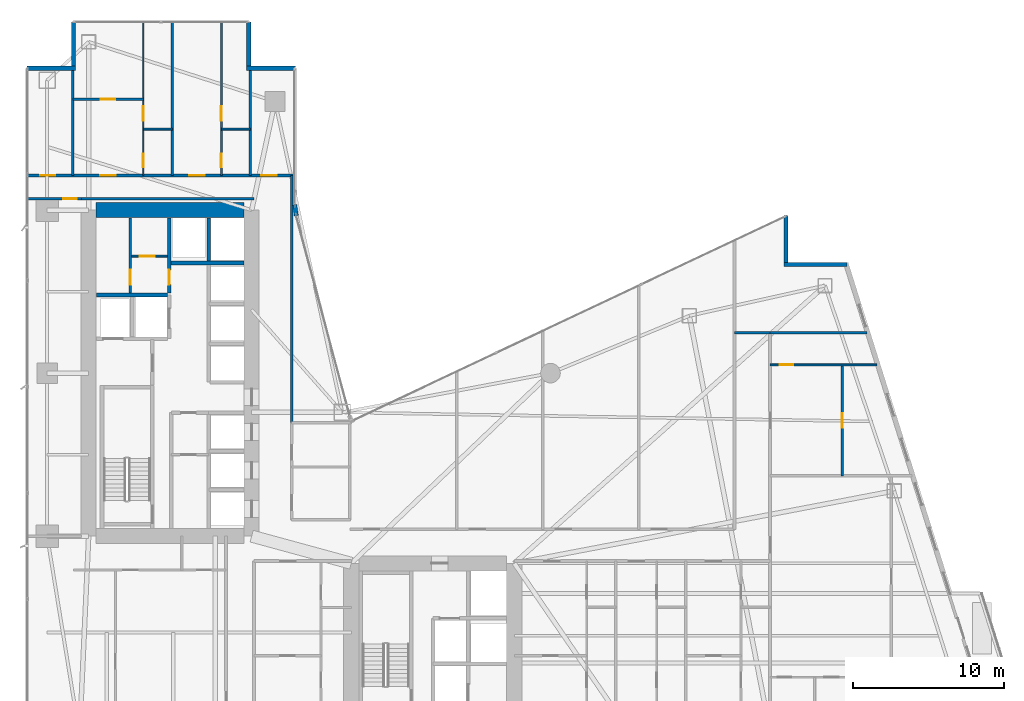
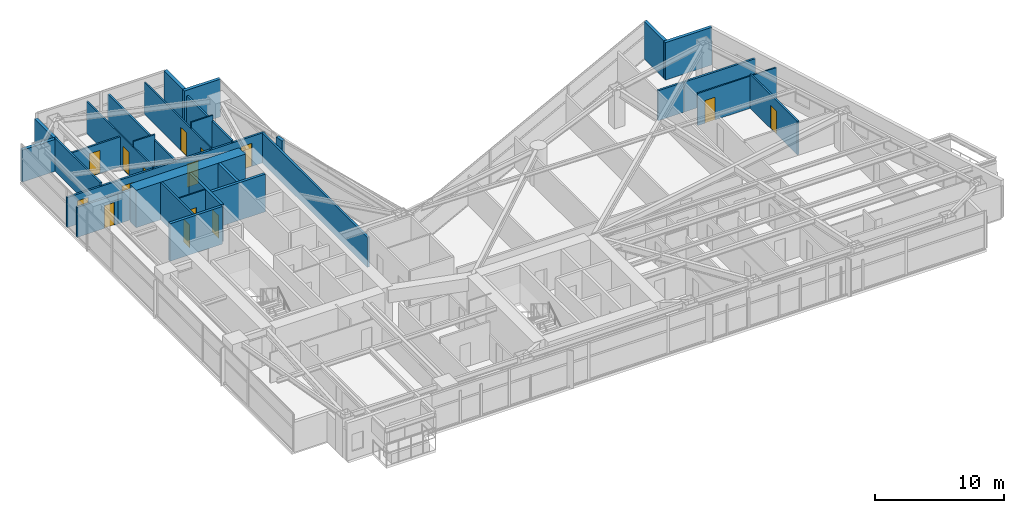
# One storey, part 25 of 30: 30 walls, 15 doors, 15 openings.
"""IFC4 building model written with IfcOpenShell, lengths in metres."""

from ifc_helpers import new_model, si_unit, direction, frame, frame_2d, origin, place, context, subcontext, project, spatial, rectangle, extrude, material, layer, layer_set, type_object, element, fill, save


model = new_model("IFC4")

# Units and contexts
model_context = context("Model", 3, precision=1e-05, world=origin(), true_north=direction((0.0, 1.0)))
body_context = subcontext(model_context, "Body", "Model", "MODEL_VIEW")
ifc_project = project(units=[si_unit("LENGTHUNIT", "METRE"), si_unit("AREAUNIT", "SQUARE_METRE"), si_unit("VOLUMEUNIT", "CUBIC_METRE"), si_unit("PLANEANGLEUNIT", "RADIAN"), si_unit("MASSUNIT", "GRAM", prefix="KILO")], contexts=[model_context])

# Site, building, storey
site_placement = place(None, origin())
site = spatial("IfcSite", under=ifc_project, at=site_placement, CompositionType="ELEMENT")
building_placement = place(site_placement, origin())
building = spatial("IfcBuilding", under=site, at=building_placement, Name="Calvorn Quay Hotel", CompositionType="ELEMENT")
storey_placement = place(building_placement, frame((0.0, 0.0, 50.800048828125)))
storey = spatial("IfcBuildingStorey", under=building, at=storey_placement, Name="L11", CompositionType="ELEMENT", Elevation=50.800048828125)

# Wall
ifc_material_1 = material(Name="Concrete C60", Category="concrete")
ifc_layer_1 = layer(ifc_material_1, 1.0)
ifc_layer_set_1 = layer_set([ifc_layer_1], Name="WL-CORE-1000")
wall_type_1 = type_object("IfcWallType", Name="WL-CORE-1000", PredefinedType="SHEAR", material=ifc_layer_set_1)
wall_1_placement = place(storey_placement, frame((4.699951171875, 38.39990234375, 0.0), z_axis=(0.0, 0.0, 1.0), x_axis=(1.0, 0.0, 0.0)))
element("IfcWall", 1, at=wall_1_placement, inside=storey, type_object=wall_type_1, Name="West Core Shear Wall N (L11)", PredefinedType="SHEAR", context=body_context, shape_type="SweptSolid", body=[
    extrude(rectangle(XDim=9.800048828125, YDim=1.0, at=frame_2d((4.89990234375, 0.0))), origin(), (0.0, 0.0, 1.0), 3.56005859375),
])

# Wall, opening, door
ifc_material_2 = material(Name="Acoustic Fireboard Steel-Stud Partition", Category="steel")
ifc_layer_2 = layer(ifc_material_2, 0.179931640625)
ifc_layer_set_2 = layer_set([ifc_layer_2], Name="WL-CORR-FIRE-180")
wall_type_2 = type_object("IfcWallType", Name="WL-CORR-FIRE-180", PredefinedType="PARTITIONING", material=ifc_layer_set_2)
wall_2_placement = place(storey_placement, frame((0.080078125, 39.14990234375, 0.0), z_axis=(0.0, 0.0, 1.0), x_axis=(1.0, 0.0, 0.0)))
wall_2 = element("IfcWall", 2, at=wall_2_placement, inside=storey, type_object=wall_type_2, Name="Partition Wall L11-WL-WBAY-N-DOOR", PredefinedType="PARTITIONING", context=body_context, shape_type="SweptSolid", body=[
    extrude(rectangle(XDim=3.64990234375, YDim=0.179931640625, at=frame_2d((1.824951171875, 0.0))), origin(), (0.0, 0.0, 1.0), 2.83984375),
])
opening_1_placement = place(wall_2_placement, frame((2.429931640625, 0.0, 0.0)))
opening_1 = element("IfcOpeningElement", 3, at=opening_1_placement, cuts=wall_2, Name="Opening D-L11-WBN", PredefinedType="OPENING", context=body_context, shape_type="SweptSolid", body=[
    extrude(rectangle(XDim=0.89990234375, YDim=2.14990234375, at=frame_2d((0.449951171875, 1.074951171875))), frame((0.0, 0.099853515625, 0.0), z_axis=(0.0, -1.0, 0.0), x_axis=(1.0, 0.0, 0.0)), (0.0, 0.0, 1.0), 0.199951171875),
])
ifc_material_3 = material(Name="Moisture-Sealed Timber En-Suite Door", Category="wood")
door_type_1 = type_object("IfcDoorType", Name="DR-ENSUITE-900", OperationType="NOTDEFINED", PredefinedType="DOOR", material=ifc_material_3)
door_1_placement = place(opening_1_placement, origin())
door_1 = element("IfcDoor", 4, at=door_1_placement, inside=storey, type_object=door_type_1, Name="West North Bay Door (L11)", OperationType="SINGLE_SWING_LEFT", OverallHeight=2.14990234375, OverallWidth=0.89990234375, PredefinedType="DOOR", context=body_context, shape_type="SweptSolid", body=[
    extrude(rectangle(XDim=0.89990234375, YDim=2.14990234375, at=frame_2d((0.449951171875, 1.074951171875))), frame((0.0, 0.02490234375, 0.0), z_axis=(0.0, -1.0, 0.0), x_axis=(1.0, 0.0, 0.0)), (0.0, 0.0, 1.0), 0.050048828125),
])
fill(opening_1, door_1)

# Wall, openings, doors
wall_3_placement = place(storey_placement, frame((0.080078125, 40.699951171875, 0.0), z_axis=(0.0, 0.0, 1.0), x_axis=(1.0, 0.0, 0.0)))
wall_3 = element("IfcWall", 5, at=wall_3_placement, inside=storey, type_object=wall_type_2, Name="Partition Wall L11-WL-CORR-NW-N", PredefinedType="PARTITIONING", context=body_context, shape_type="SweptSolid", body=[
    extrude(rectangle(XDim=17.77001953125, YDim=0.179931640625, at=frame_2d((8.885009765625, 0.0))), origin(), (0.0, 0.0, 1.0), 2.83984375),
])
opening_2_placement = place(wall_3_placement, frame((0.89990234375, 0.0, 0.0)))
opening_2 = element("IfcOpeningElement", 6, at=opening_2_placement, cuts=wall_3, Name="Opening D-L11-NWW", PredefinedType="OPENING", context=body_context, shape_type="SweptSolid", body=[
    extrude(rectangle(XDim=1.02001953125, YDim=2.199951171875, at=frame_2d((0.510009765625, 1.10009765625))), frame((0.0, 0.099853515625, 0.0), z_axis=(0.0, -1.0, 0.0), x_axis=(1.0, 0.0, 0.0)), (0.0, 0.0, 1.0), 0.199951171875),
])
opening_3_placement = place(wall_3_placement, frame((4.89990234375, 0.0, 0.0)))
opening_3 = element("IfcOpeningElement", 7, at=opening_3_placement, cuts=wall_3, Name="Opening D-L11-U03", PredefinedType="OPENING", context=body_context, shape_type="SweptSolid", body=[
    extrude(rectangle(XDim=1.02001953125, YDim=2.199951171875, at=frame_2d((0.510009765625, 1.10009765625))), frame((0.0, 0.099853515625, 0.0), z_axis=(0.0, -1.0, 0.0), x_axis=(1.0, 0.0, 0.0)), (0.0, 0.0, 1.0), 0.199951171875),
])
opening_4_placement = place(wall_3_placement, frame((10.780029296875, 0.0, 0.0)))
opening_4 = element("IfcOpeningElement", 8, at=opening_4_placement, cuts=wall_3, Name="Opening D-L11-U04", PredefinedType="OPENING", context=body_context, shape_type="SweptSolid", body=[
    extrude(rectangle(XDim=1.02001953125, YDim=2.199951171875, at=frame_2d((0.510009765625, 1.10009765625))), frame((0.0, 0.099853515625, 0.0), z_axis=(0.0, -1.0, 0.0), x_axis=(1.0, 0.0, 0.0)), (0.0, 0.0, 1.0), 0.199951171875),
])
opening_5_placement = place(wall_3_placement, frame((15.550048828125, 0.0, 0.0)))
opening_5 = element("IfcOpeningElement", 9, at=opening_5_placement, cuts=wall_3, Name="Opening D-L11-NWE", PredefinedType="OPENING", context=body_context, shape_type="SweptSolid", body=[
    extrude(rectangle(XDim=1.02001953125, YDim=2.199951171875, at=frame_2d((0.510009765625, 1.10009765625))), frame((0.0, 0.099853515625, 0.0), z_axis=(0.0, -1.0, 0.0), x_axis=(1.0, 0.0, 0.0)), (0.0, 0.0, 1.0), 0.199951171875),
])
ifc_material_4 = material(Name="Solid-Core Walnut Veneer Hotel Fire Door")
door_type_2 = type_object("IfcDoorType", Name="DR-GUEST-ENTRY-1020", OperationType="NOTDEFINED", PredefinedType="DOOR", material=ifc_material_4)
door_2_placement = place(opening_2_placement, origin())
door_2 = element("IfcDoor", 10, at=door_2_placement, inside=storey, type_object=door_type_2, Name="West Corner Study Door (L11)", OperationType="SINGLE_SWING_LEFT", OverallHeight=2.199951171875, OverallWidth=1.02001953125, PredefinedType="DOOR", context=body_context, shape_type="SweptSolid", body=[
    extrude(rectangle(XDim=1.02001953125, YDim=2.199951171875, at=frame_2d((0.510009765625, 1.10009765625))), frame((0.0, 0.02490234375, 0.0), z_axis=(0.0, -1.0, 0.0), x_axis=(1.0, 0.0, 0.0)), (0.0, 0.0, 1.0), 0.050048828125),
])
fill(opening_2, door_2)
door_3_placement = place(opening_3_placement, origin())
door_3 = element("IfcDoor", 11, at=door_3_placement, inside=storey, type_object=door_type_2, Name="North-West Unit Door U03 (L11)", OperationType="SINGLE_SWING_RIGHT", OverallHeight=2.199951171875, OverallWidth=1.02001953125, PredefinedType="DOOR", context=body_context, shape_type="SweptSolid", body=[
    extrude(rectangle(XDim=1.02001953125, YDim=2.199951171875, at=frame_2d((0.510009765625, 1.10009765625))), frame((0.0, 0.02490234375, 0.0), z_axis=(0.0, -1.0, 0.0), x_axis=(1.0, 0.0, 0.0)), (0.0, 0.0, 1.0), 0.050048828125),
])
fill(opening_3, door_3)
door_4_placement = place(opening_4_placement, origin())
door_4 = element("IfcDoor", 12, at=door_4_placement, inside=storey, type_object=door_type_2, Name="North-West Unit Door U04 (L11)", OperationType="SINGLE_SWING_LEFT", OverallHeight=2.199951171875, OverallWidth=1.02001953125, PredefinedType="DOOR", context=body_context, shape_type="SweptSolid", body=[
    extrude(rectangle(XDim=1.02001953125, YDim=2.199951171875, at=frame_2d((0.510009765625, 1.10009765625))), frame((0.0, 0.02490234375, 0.0), z_axis=(0.0, -1.0, 0.0), x_axis=(1.0, 0.0, 0.0)), (0.0, 0.0, 1.0), 0.050048828125),
])
fill(opening_4, door_4)
door_5_placement = place(opening_5_placement, origin())
door_5 = element("IfcDoor", 13, at=door_5_placement, inside=storey, type_object=door_type_2, Name="Inner Court Study Door (L11)", OperationType="SINGLE_SWING_RIGHT", OverallHeight=2.199951171875, OverallWidth=1.02001953125, PredefinedType="DOOR", context=body_context, shape_type="SweptSolid", body=[
    extrude(rectangle(XDim=1.02001953125, YDim=2.199951171875, at=frame_2d((0.510009765625, 1.10009765625))), frame((0.0, 0.02490234375, 0.0), z_axis=(0.0, -1.0, 0.0), x_axis=(1.0, 0.0, 0.0)), (0.0, 0.0, 1.0), 0.050048828125),
])
fill(opening_5, door_5)

# Walls
wall_4_placement = place(storey_placement, frame((17.64990234375, 24.300048828125, 0.0), z_axis=(0.0, 0.0, 1.0), x_axis=(0.0, 1.0, 0.0)))
element("IfcWall", 14, at=wall_4_placement, inside=storey, type_object=wall_type_2, Name="Partition Wall L11-WL-NW-CLOSURE-E", PredefinedType="PARTITIONING", context=body_context, shape_type="SweptSolid", body=[
    extrude(rectangle(XDim=16.39990234375, YDim=0.179931640625, at=frame_2d((8.199951171875, 0.0))), origin(), (0.0, 0.0, 1.0), 2.83984375),
])
wall_5_placement = place(storey_placement, frame((3.679931640625, 39.14990234375, 0.0), z_axis=(0.0, 0.0, 1.0), x_axis=(1.0, 0.0, 0.0)))
element("IfcWall", 15, at=wall_5_placement, inside=storey, type_object=wall_type_2, Name="Partition Wall L11-WL-W-SPUR-S", PredefinedType="PARTITIONING", context=body_context, shape_type="SweptSolid", body=[
    extrude(rectangle(XDim=11.469970703125, YDim=0.179931640625, at=frame_2d((5.73486328125, 0.0))), origin(), (0.0, 0.0, 1.0), 2.83984375),
])
wall_6_placement = place(storey_placement, frame((49.35009765625, 30.280029296875, 0.0), z_axis=(0.0, 0.0, 1.0), x_axis=(1.0, 0.0, 0.0)))
element("IfcWall", 16, at=wall_6_placement, inside=storey, type_object=wall_type_2, Name="Partition Wall L11-WL-TIP-N", PredefinedType="PARTITIONING", context=body_context, shape_type="SweptSolid", body=[
    extrude(rectangle(XDim=6.409912109375, YDim=0.179931640625, at=frame_2d((3.205078125, 0.0))), origin(), (0.0, 0.0, 1.0), 2.83984375),
])
wall_7_placement = place(storey_placement, frame((47.0, 30.280029296875, 0.0), z_axis=(0.0, 0.0, 1.0), x_axis=(1.0, 0.0, 0.0)))
element("IfcWall", 17, at=wall_7_placement, inside=storey, type_object=wall_type_2, Name="Partition Wall L11-WL-CORR-TIP-NN", PredefinedType="PARTITIONING", context=body_context, shape_type="SweptSolid", body=[
    extrude(rectangle(XDim=2.35009765625, YDim=0.179931640625, at=frame_2d((1.175048828125, 0.0))), origin(), (0.0, 0.0, 1.0), 2.83984375),
])

# Wall, opening, door
ifc_material_5 = material(Name="Moisture-Resistant Tile-Backed Partition")
ifc_layer_3 = layer(ifc_material_5, 0.125)
ifc_layer_set_3 = layer_set([ifc_layer_3], Name="WL-ENSUITE-125")
wall_type_3 = type_object("IfcWallType", Name="WL-ENSUITE-125", PredefinedType="PARTITIONING", material=ifc_layer_set_3)
wall_8_placement = place(storey_placement, frame((7.050048828125, 35.35009765625, 0.0), z_axis=(0.0, 0.0, 1.0), x_axis=(1.0, 0.0, 0.0)))
wall_8 = element("IfcWall", 18, at=wall_8_placement, inside=storey, type_object=wall_type_3, Name="Partition Wall L11-WL-CWW-K-H", PredefinedType="PARTITIONING", context=body_context, shape_type="SweptSolid", body=[
    extrude(rectangle(XDim=2.369873046875, YDim=0.125, at=frame_2d((1.18505859375, 0.0))), origin(), (0.0, 0.0, 1.0), 3.56005859375),
])
opening_6_placement = place(wall_8_placement, frame((0.550048828125, 0.0, 0.0)))
opening_6 = element("IfcOpeningElement", 19, at=opening_6_placement, cuts=wall_8, Name="Opening D-L11-CK3", PredefinedType="OPENING", context=body_context, shape_type="SweptSolid", body=[
    extrude(rectangle(XDim=0.97998046875, YDim=2.14990234375, at=frame_2d((0.489990234375, 1.074951171875))), frame((0.0, 0.072509765625, 0.0), z_axis=(0.0, -1.0, 0.0), x_axis=(1.0, 0.0, 0.0)), (0.0, 0.0, 1.0), 0.14501953125),
])
ifc_material_6 = material(Name="Painted Steel Housekeeping/Riser Fire Door", Category="steel")
door_type_3 = type_object("IfcDoorType", Name="DR-SERVICE-980", OperationType="NOTDEFINED", PredefinedType="DOOR", material=ifc_material_6)
door_6_placement = place(opening_6_placement, origin())
door_6 = element("IfcDoor", 20, at=door_6_placement, inside=storey, type_object=door_type_3, Name="Telecom Closet Door (L11)", OperationType="SINGLE_SWING_RIGHT", OverallHeight=2.14990234375, OverallWidth=0.97998046875, PredefinedType="DOOR", context=body_context, shape_type="SweptSolid", body=[
    extrude(rectangle(XDim=0.97998046875, YDim=2.14990234375, at=frame_2d((0.489990234375, 1.074951171875))), frame((0.0, 0.02490234375, 0.0), z_axis=(0.0, -1.0, 0.0), x_axis=(1.0, 0.0, 0.0)), (0.0, 0.0, 1.0), 0.050048828125),
])
fill(opening_6, door_6)

# Wall
wall_9_placement = place(storey_placement, frame((7.820068359375, 43.77001953125, 0.0), z_axis=(0.0, 0.0, 1.0), x_axis=(1.0, 0.0, 0.0)))
element("IfcWall", 21, at=wall_9_placement, inside=storey, type_object=wall_type_3, Name="Partition Wall L11-WL-U03-BDV", PredefinedType="PARTITIONING", context=body_context, shape_type="SweptSolid", body=[
    extrude(rectangle(XDim=1.929931640625, YDim=0.125, at=frame_2d((0.96484375, 0.0))), origin(), (0.0, 0.0, 1.0), 3.56005859375),
])

# Wall, openings, doors
wall_10_placement = place(storey_placement, frame((7.820068359375, 40.699951171875, 0.0), z_axis=(0.0, 0.0, 1.0), x_axis=(0.0, 1.0, 0.0)))
wall_10 = element("IfcWall", 22, at=wall_10_placement, inside=storey, type_object=wall_type_3, Name="Partition Wall L11-WL-U03-BV", PredefinedType="PARTITIONING", context=body_context, shape_type="SweptSolid", body=[
    extrude(rectangle(XDim=10.239990234375, YDim=0.125, at=frame_2d((5.1201171875, 0.0))), origin(), (0.0, 0.0, 1.0), 3.0400390625),
])
opening_7_placement = place(wall_10_placement, frame((0.550048828125, 0.0, 0.0)))
opening_7 = element("IfcOpeningElement", 23, at=opening_7_placement, cuts=wall_10, Name="Opening D-L11-E03", PredefinedType="OPENING", context=body_context, shape_type="SweptSolid", body=[
    extrude(rectangle(XDim=0.89990234375, YDim=2.14990234375, at=frame_2d((0.449951171875, 1.074951171875))), frame((0.0, 0.072509765625, 0.0), z_axis=(0.0, -1.0, 0.0), x_axis=(1.0, 0.0, 0.0)), (0.0, 0.0, 1.0), 0.14501953125),
])
opening_8_placement = place(wall_10_placement, frame((3.6201171875, 0.0, 0.0)))
opening_8 = element("IfcOpeningElement", 24, at=opening_8_placement, cuts=wall_10, Name="Opening D-L11-S03", PredefinedType="OPENING", context=body_context, shape_type="SweptSolid", body=[
    extrude(rectangle(XDim=0.9599609375, YDim=2.199951171875, at=frame_2d((0.47998046875, 1.10009765625))), frame((0.0, 0.072509765625, 0.0), z_axis=(0.0, -1.0, 0.0), x_axis=(1.0, 0.0, 0.0)), (0.0, 0.0, 1.0), 0.14501953125),
])
door_7_placement = place(opening_7_placement, origin())
door_7 = element("IfcDoor", 25, at=door_7_placement, inside=storey, type_object=door_type_1, Name="En-Suite Door 03", OperationType="SINGLE_SWING_LEFT", OverallHeight=2.14990234375, OverallWidth=0.89990234375, PredefinedType="DOOR", context=body_context, shape_type="SweptSolid", body=[
    extrude(rectangle(XDim=0.89990234375, YDim=2.14990234375, at=frame_2d((0.449951171875, 1.074951171875))), frame((0.0, 0.02490234375, 0.0), z_axis=(0.0, -1.0, 0.0), x_axis=(1.0, 0.0, 0.0)), (0.0, 0.0, 1.0), 0.050048828125),
])
fill(opening_7, door_7)
ifc_material_7 = material(Name="Solid Timber Internal Suite Door", Category="wood")
door_type_4 = type_object("IfcDoorType", Name="DR-SUITE-INT-960", OperationType="NOTDEFINED", PredefinedType="DOOR", material=ifc_material_7)
door_8_placement = place(opening_8_placement, origin())
door_8 = element("IfcDoor", 26, at=door_8_placement, inside=storey, type_object=door_type_4, Name="Executive Work Office Door 03", OperationType="SINGLE_SWING_RIGHT", OverallHeight=2.199951171875, OverallWidth=0.9599609375, PredefinedType="DOOR", context=body_context, shape_type="SweptSolid", body=[
    extrude(rectangle(XDim=0.9599609375, YDim=2.199951171875, at=frame_2d((0.47998046875, 1.10009765625))), frame((0.0, 0.02490234375, 0.0), z_axis=(0.0, -1.0, 0.0), x_axis=(1.0, 0.0, 0.0)), (0.0, 0.0, 1.0), 0.050048828125),
])
fill(opening_8, door_8)

# Wall
wall_11_placement = place(storey_placement, frame((12.989990234375, 43.77001953125, 0.0), z_axis=(0.0, 0.0, 1.0), x_axis=(1.0, 0.0, 0.0)))
element("IfcWall", 27, at=wall_11_placement, inside=storey, type_object=wall_type_3, Name="Partition Wall L11-WL-U04-BDV", PredefinedType="PARTITIONING", context=body_context, shape_type="SweptSolid", body=[
    extrude(rectangle(XDim=1.929931640625, YDim=0.125, at=frame_2d((0.96484375, 0.0))), origin(), (0.0, 0.0, 1.0), 3.56005859375),
])

# Wall, openings, doors
wall_12_placement = place(storey_placement, frame((12.989990234375, 40.699951171875, 0.0), z_axis=(0.0, 0.0, 1.0), x_axis=(0.0, 1.0, 0.0)))
wall_12 = element("IfcWall", 28, at=wall_12_placement, inside=storey, type_object=wall_type_3, Name="Partition Wall L11-WL-U04-BV", PredefinedType="PARTITIONING", context=body_context, shape_type="SweptSolid", body=[
    extrude(rectangle(XDim=10.239990234375, YDim=0.125, at=frame_2d((5.1201171875, 0.0))), origin(), (0.0, 0.0, 1.0), 3.0400390625),
])
opening_9_placement = place(wall_12_placement, frame((0.550048828125, 0.0, 0.0)))
opening_9 = element("IfcOpeningElement", 29, at=opening_9_placement, cuts=wall_12, Name="Opening D-L11-E04", PredefinedType="OPENING", context=body_context, shape_type="SweptSolid", body=[
    extrude(rectangle(XDim=0.89990234375, YDim=2.14990234375, at=frame_2d((0.449951171875, 1.074951171875))), frame((0.0, 0.072509765625, 0.0), z_axis=(0.0, -1.0, 0.0), x_axis=(1.0, 0.0, 0.0)), (0.0, 0.0, 1.0), 0.14501953125),
])
opening_10_placement = place(wall_12_placement, frame((3.6201171875, 0.0, 0.0)))
opening_10 = element("IfcOpeningElement", 30, at=opening_10_placement, cuts=wall_12, Name="Opening D-L11-S04", PredefinedType="OPENING", context=body_context, shape_type="SweptSolid", body=[
    extrude(rectangle(XDim=0.9599609375, YDim=2.199951171875, at=frame_2d((0.47998046875, 1.10009765625))), frame((0.0, 0.072509765625, 0.0), z_axis=(0.0, -1.0, 0.0), x_axis=(1.0, 0.0, 0.0)), (0.0, 0.0, 1.0), 0.14501953125),
])
door_9_placement = place(opening_9_placement, origin())
door_9 = element("IfcDoor", 31, at=door_9_placement, inside=storey, type_object=door_type_1, Name="En-Suite Door 04", OperationType="SINGLE_SWING_LEFT", OverallHeight=2.14990234375, OverallWidth=0.89990234375, PredefinedType="DOOR", context=body_context, shape_type="SweptSolid", body=[
    extrude(rectangle(XDim=0.89990234375, YDim=2.14990234375, at=frame_2d((0.449951171875, 1.074951171875))), frame((0.0, 0.02490234375, 0.0), z_axis=(0.0, -1.0, 0.0), x_axis=(1.0, 0.0, 0.0)), (0.0, 0.0, 1.0), 0.050048828125),
])
fill(opening_9, door_9)
door_10_placement = place(opening_10_placement, origin())
door_10 = element("IfcDoor", 32, at=door_10_placement, inside=storey, type_object=door_type_4, Name="Executive Work Office Door 04", OperationType="SINGLE_SWING_RIGHT", OverallHeight=2.199951171875, OverallWidth=0.9599609375, PredefinedType="DOOR", context=body_context, shape_type="SweptSolid", body=[
    extrude(rectangle(XDim=0.9599609375, YDim=2.199951171875, at=frame_2d((0.47998046875, 1.10009765625))), frame((0.0, 0.02490234375, 0.0), z_axis=(0.0, -1.0, 0.0), x_axis=(1.0, 0.0, 0.0)), (0.0, 0.0, 1.0), 0.050048828125),
])
fill(opening_10, door_10)

# Wall, opening, door
wall_13_placement = place(storey_placement, frame((49.35009765625, 28.14990234375, 0.0), z_axis=(0.0, 0.0, 1.0), x_axis=(1.0, 0.0, 0.0)))
wall_13 = element("IfcWall", 33, at=wall_13_placement, inside=storey, type_object=wall_type_3, Name="Partition Wall L11-WL-U09-BH", PredefinedType="PARTITIONING", context=body_context, shape_type="SweptSolid", body=[
    extrude(rectangle(XDim=7.079833984375, YDim=0.125, at=frame_2d((3.5400390625, 0.0))), origin(), (0.0, 0.0, 1.0), 3.0400390625),
])
opening_11_placement = place(wall_13_placement, frame((0.64990234375, 0.0, 0.0)))
opening_11 = element("IfcOpeningElement", 34, at=opening_11_placement, cuts=wall_13, Name="Opening D-L11-E09", PredefinedType="OPENING", context=body_context, shape_type="SweptSolid", body=[
    extrude(rectangle(XDim=0.89990234375, YDim=2.14990234375, at=frame_2d((0.449951171875, 1.074951171875))), frame((0.0, 0.072509765625, 0.0), z_axis=(0.0, -1.0, 0.0), x_axis=(1.0, 0.0, 0.0)), (0.0, 0.0, 1.0), 0.14501953125),
])
door_11_placement = place(opening_11_placement, origin())
door_11 = element("IfcDoor", 35, at=door_11_placement, inside=storey, type_object=door_type_1, Name="En-Suite Door 09", OperationType="SINGLE_SWING_LEFT", OverallHeight=2.14990234375, OverallWidth=0.89990234375, PredefinedType="DOOR", context=body_context, shape_type="SweptSolid", body=[
    extrude(rectangle(XDim=0.89990234375, YDim=2.14990234375, at=frame_2d((0.449951171875, 1.074951171875))), frame((0.0, 0.02490234375, 0.0), z_axis=(0.0, -1.0, 0.0), x_axis=(1.0, 0.0, 0.0)), (0.0, 0.0, 1.0), 0.050048828125),
])
fill(opening_11, door_11)

# Walls
ifc_material_8 = material(Name="Concrete C40", Category="concrete")
ifc_layer_4 = layer(ifc_material_8, 0.320068359375)
ifc_layer_set_4 = layer_set([ifc_layer_4], Name="WL-EXT-SPANDREL-320")
wall_type_4 = type_object("IfcWallType", Name="WL-EXT-SPANDREL-320", PredefinedType="SOLIDWALL", material=ifc_layer_set_4)
wall_14_placement = place(storey_placement, frame((17.9619140625, 38.030029296875, 0.0), z_axis=(0.0, 0.0, 1.0), x_axis=(-0.15141125477, 0.988470855377, 0.0)))
element("IfcWall", 36, at=wall_14_placement, inside=storey, type_object=wall_type_4, Name="Inner Court Corner Pier L11-ICJ2", PredefinedType="SOLIDWALL", context=body_context, shape_type="SweptSolid", body=[
    extrude(rectangle(XDim=0.738525390625, YDim=0.280029296875, at=frame_2d((0.369140625, 0.0))), origin(), (0.0, 0.0, 1.0), 3.56005859375),
])
wall_15_placement = place(storey_placement, frame((54.43994140625, 34.800048828125, 0.0), z_axis=(0.0, 0.0, 1.0), x_axis=(-1.0, 0.0, 0.0)))
element("IfcWall", 37, at=wall_15_placement, inside=storey, type_object=wall_type_4, Name="Notched Corner Spandrel L11-NE1", PredefinedType="SOLIDWALL", context=body_context, shape_type="SweptSolid", body=[
    extrude(rectangle(XDim=4.179931640625, YDim=0.280029296875, at=frame_2d((2.08984375, 0.0))), origin(), (0.0, 0.0, 1.0), 3.56005859375),
])
wall_16_placement = place(storey_placement, frame((50.39990234375, 34.93994140625, 0.0), z_axis=(0.0, 0.0, 1.0), x_axis=(0.0, 1.0, 0.0)))
element("IfcWall", 38, at=wall_16_placement, inside=storey, type_object=wall_type_4, Name="Notched Corner Spandrel L11-NE2", PredefinedType="SOLIDWALL", context=body_context, shape_type="SweptSolid", body=[
    extrude(rectangle(XDim=3.10009765625, YDim=0.280029296875, at=frame_2d((1.550048828125, 0.0))), origin(), (0.0, 0.0, 1.0), 3.56005859375),
])
wall_17_placement = place(storey_placement, frame((17.89990234375, 47.800048828125, 0.0), z_axis=(0.0, 0.0, 1.0), x_axis=(-1.0, 0.0, 0.0)))
element("IfcWall", 39, at=wall_17_placement, inside=storey, type_object=wall_type_4, Name="Notched Corner Spandrel L11-NWE1", PredefinedType="SOLIDWALL", context=body_context, shape_type="SweptSolid", body=[
    extrude(rectangle(XDim=3.239990234375, YDim=0.280029296875, at=frame_2d((1.6201171875, 0.0))), origin(), (0.0, 0.0, 1.0), 3.56005859375),
])
wall_18_placement = place(storey_placement, frame((14.800048828125, 47.93994140625, 0.0), z_axis=(0.0, 0.0, 1.0), x_axis=(0.0, 1.0, 0.0)))
element("IfcWall", 40, at=wall_18_placement, inside=storey, type_object=wall_type_4, Name="Notched Corner Spandrel L11-NWE2", PredefinedType="SOLIDWALL", context=body_context, shape_type="SweptSolid", body=[
    extrude(rectangle(XDim=2.93994140625, YDim=0.280029296875, at=frame_2d((1.469970703125, 0.0))), origin(), (0.0, 0.0, 1.0), 3.56005859375),
])
wall_19_placement = place(storey_placement, frame((3.199951171875, 50.8798828125, 0.0), z_axis=(0.0, 0.0, 1.0), x_axis=(0.0, -1.0, 0.0)))
element("IfcWall", 41, at=wall_19_placement, inside=storey, type_object=wall_type_4, Name="Notched Corner Spandrel L11-NW1", PredefinedType="SOLIDWALL", context=body_context, shape_type="SweptSolid", body=[
    extrude(rectangle(XDim=2.93994140625, YDim=0.280029296875, at=frame_2d((1.469970703125, 0.0))), origin(), (0.0, 0.0, 1.0), 3.0400390625),
])
wall_20_placement = place(storey_placement, frame((3.340087890625, 47.800048828125, 0.0), z_axis=(0.0, 0.0, 1.0), x_axis=(-1.0, 0.0, 0.0)))
element("IfcWall", 42, at=wall_20_placement, inside=storey, type_object=wall_type_4, Name="Notched Corner Spandrel L11-NW2", PredefinedType="SOLIDWALL", context=body_context, shape_type="SweptSolid", body=[
    extrude(rectangle(XDim=3.219970703125, YDim=0.280029296875, at=frame_2d((1.60986328125, 0.0))), origin(), (0.0, 0.0, 1.0), 3.0400390625),
])

# Wall, opening, door
ifc_material_9 = material(Name="Double-Stud Acoustic Gypsum Partition")
ifc_layer_5 = layer(ifc_material_9, 0.159912109375)
ifc_layer_set_5 = layer_set([ifc_layer_5], Name="WL-INTERSUITE-160")
wall_type_5 = type_object("IfcWallType", Name="WL-INTERSUITE-160", PredefinedType="PARTITIONING", material=ifc_layer_set_5)
wall_21_placement = place(storey_placement, frame((6.949951171875, 32.919921875, 0.0), z_axis=(0.0, 0.0, 1.0), x_axis=(0.0, 1.0, 0.0)))
wall_21 = element("IfcWall", 43, at=wall_21_placement, inside=storey, type_object=wall_type_5, Name="Partition Wall L11-WL-CWW-K-V", PredefinedType="PARTITIONING", context=body_context, shape_type="SweptSolid", body=[
    extrude(rectangle(XDim=4.9599609375, YDim=0.159912109375, at=frame_2d((2.47998046875, 0.0))), origin(), (0.0, 0.0, 1.0), 3.56005859375),
])
opening_12_placement = place(wall_21_placement, frame((0.550048828125, 0.0, 0.0)))
opening_12 = element("IfcOpeningElement", 44, at=opening_12_placement, cuts=wall_21, Name="Opening D-L11-CK1", PredefinedType="OPENING", context=body_context, shape_type="SweptSolid", body=[
    extrude(rectangle(XDim=0.97998046875, YDim=2.14990234375, at=frame_2d((0.489990234375, 1.074951171875))), frame((0.0, 0.08984375, 0.0), z_axis=(0.0, -1.0, 0.0), x_axis=(1.0, 0.0, 0.0)), (0.0, 0.0, 1.0), 0.179931640625),
])
door_12_placement = place(opening_12_placement, origin())
door_12 = element("IfcDoor", 45, at=door_12_placement, inside=storey, type_object=door_type_3, Name="Pipe Riser Door (L11)", OperationType="SINGLE_SWING_LEFT", OverallHeight=2.14990234375, OverallWidth=0.97998046875, PredefinedType="DOOR", context=body_context, shape_type="SweptSolid", body=[
    extrude(rectangle(XDim=0.97998046875, YDim=2.14990234375, at=frame_2d((0.489990234375, 1.074951171875))), frame((0.0, 0.02490234375, 0.0), z_axis=(0.0, -1.0, 0.0), x_axis=(1.0, 0.0, 0.0)), (0.0, 0.0, 1.0), 0.050048828125),
])
fill(opening_12, door_12)

# Walls
wall_22_placement = place(storey_placement, frame((3.14990234375, 40.699951171875, 0.0), z_axis=(0.0, 0.0, 1.0), x_axis=(0.0, 1.0, 0.0)))
element("IfcWall", 46, at=wall_22_placement, inside=storey, type_object=wall_type_5, Name="Partition Wall L11-WL-NW-DIV-W0", PredefinedType="PARTITIONING", context=body_context, shape_type="SweptSolid", body=[
    extrude(rectangle(XDim=7.10009765625, YDim=0.159912109375, at=frame_2d((3.550048828125, 0.0))), origin(), (0.0, 0.0, 1.0), 3.139892578125),
])
wall_23_placement = place(storey_placement, frame((14.919921875, 40.699951171875, 0.0), z_axis=(0.0, 0.0, 1.0), x_axis=(0.0, 1.0, 0.0)))
element("IfcWall", 47, at=wall_23_placement, inside=storey, type_object=wall_type_5, Name="Partition Wall L11-WL-NW-DIV-E0", PredefinedType="PARTITIONING", context=body_context, shape_type="SweptSolid", body=[
    extrude(rectangle(XDim=7.10009765625, YDim=0.159912109375, at=frame_2d((3.550048828125, 0.0))), origin(), (0.0, 0.0, 1.0), 3.0400390625),
])

# Wall, opening, door
wall_24_placement = place(storey_placement, frame((3.14990234375, 45.75, 0.0), z_axis=(0.0, 0.0, 1.0), x_axis=(1.0, 0.0, 0.0)))
wall_24 = element("IfcWall", 48, at=wall_24_placement, inside=storey, type_object=wall_type_5, Name="Partition Wall L11-WL-U03-MSP", PredefinedType="PARTITIONING", context=body_context, shape_type="SweptSolid", body=[
    extrude(rectangle(XDim=4.670166015625, YDim=0.159912109375, at=frame_2d((2.3349609375, 0.0))), origin(), (0.0, 0.0, 1.0), 2.83984375),
])
opening_13_placement = place(wall_24_placement, frame((1.85009765625, 0.0, 0.0)))
opening_13 = element("IfcOpeningElement", 49, at=opening_13_placement, cuts=wall_24, Name="Opening D-L11-M03", PredefinedType="OPENING", context=body_context, shape_type="SweptSolid", body=[
    extrude(rectangle(XDim=0.9599609375, YDim=2.199951171875, at=frame_2d((0.47998046875, 1.10009765625))), frame((0.0, 0.08984375, 0.0), z_axis=(0.0, -1.0, 0.0), x_axis=(1.0, 0.0, 0.0)), (0.0, 0.0, 1.0), 0.179931640625),
])
door_13_placement = place(opening_13_placement, origin())
door_13 = element("IfcDoor", 50, at=door_13_placement, inside=storey, type_object=door_type_4, Name="Suite Bedroom Door 03", OperationType="SINGLE_SWING_LEFT", OverallHeight=2.199951171875, OverallWidth=0.9599609375, PredefinedType="DOOR", context=body_context, shape_type="SweptSolid", body=[
    extrude(rectangle(XDim=0.9599609375, YDim=2.199951171875, at=frame_2d((0.47998046875, 1.10009765625))), frame((0.0, 0.02490234375, 0.0), z_axis=(0.0, -1.0, 0.0), x_axis=(1.0, 0.0, 0.0)), (0.0, 0.0, 1.0), 0.050048828125),
])
fill(opening_13, door_13)

# Wall
wall_25_placement = place(storey_placement, frame((9.75, 40.699951171875, 0.0), z_axis=(0.0, 0.0, 1.0), x_axis=(0.0, 1.0, 0.0)))
element("IfcWall", 51, at=wall_25_placement, inside=storey, type_object=wall_type_5, Name="Partition Wall L11-WL-NW-DIV-1", PredefinedType="PARTITIONING", context=body_context, shape_type="SweptSolid", body=[
    extrude(rectangle(XDim=10.239990234375, YDim=0.159912109375, at=frame_2d((5.1201171875, 0.0))), origin(), (0.0, 0.0, 1.0), 3.0400390625),
])

# Wall, opening, door
wall_26_placement = place(storey_placement, frame((54.1298828125, 20.800048828125, 0.0), z_axis=(0.0, 0.0, 1.0), x_axis=(0.0, 1.0, 0.0)))
wall_26 = element("IfcWall", 52, at=wall_26_placement, inside=storey, type_object=wall_type_5, Name="Partition Wall L11-WL-U09-MSP", PredefinedType="PARTITIONING", context=body_context, shape_type="SweptSolid", body=[
    extrude(rectangle(XDim=7.349853515625, YDim=0.159912109375, at=frame_2d((3.6748046875, 0.0))), origin(), (0.0, 0.0, 1.0), 3.18994140625),
])
opening_14_placement = place(wall_26_placement, frame((3.18994140625, 0.0, 0.0)))
opening_14 = element("IfcOpeningElement", 53, at=opening_14_placement, cuts=wall_26, Name="Opening D-L11-M09", PredefinedType="OPENING", context=body_context, shape_type="SweptSolid", body=[
    extrude(rectangle(XDim=0.9599609375, YDim=2.199951171875, at=frame_2d((0.47998046875, 1.10009765625))), frame((0.0, 0.08984375, 0.0), z_axis=(0.0, -1.0, 0.0), x_axis=(1.0, 0.0, 0.0)), (0.0, 0.0, 1.0), 0.179931640625),
])
door_14_placement = place(opening_14_placement, origin())
door_14 = element("IfcDoor", 54, at=door_14_placement, inside=storey, type_object=door_type_4, Name="Suite Bedroom Door 09", OperationType="SINGLE_SWING_LEFT", OverallHeight=2.199951171875, OverallWidth=0.9599609375, PredefinedType="DOOR", context=body_context, shape_type="SweptSolid", body=[
    extrude(rectangle(XDim=0.9599609375, YDim=2.199951171875, at=frame_2d((0.47998046875, 1.10009765625))), frame((0.0, 0.02490234375, 0.0), z_axis=(0.0, -1.0, 0.0), x_axis=(1.0, 0.0, 0.0)), (0.0, 0.0, 1.0), 0.050048828125),
])
fill(opening_14, door_14)

ifc_material_10 = material(Name="Autoclaved Aerated Masonry Block", Category="masonry")
ifc_layer_6 = layer(ifc_material_10, 0.219970703125)
ifc_layer_set_6 = layer_set([ifc_layer_6], Name="WL-LOBBY-FIRE-220")
wall_type_6 = type_object("IfcWallType", Name="WL-LOBBY-FIRE-220", PredefinedType="SOLIDWALL", material=ifc_layer_set_6)
wall_27_placement = place(storey_placement, frame((9.5400390625, 32.919921875, 0.0), z_axis=(0.0, 0.0, 1.0), x_axis=(0.0, 1.0, 0.0)))
wall_27 = element("IfcWall", 55, at=wall_27_placement, inside=storey, type_object=wall_type_6, Name="Partition Wall L11-WL-CWW-K-E", PredefinedType="SOLIDWALL", context=body_context, shape_type="SweptSolid", body=[
    extrude(rectangle(XDim=4.9599609375, YDim=0.219970703125, at=frame_2d((2.47998046875, 0.0))), origin(), (0.0, 0.0, 1.0), 3.56005859375),
])
opening_15_placement = place(wall_27_placement, frame((0.550048828125, 0.0, 0.0)))
opening_15 = element("IfcOpeningElement", 56, at=opening_15_placement, cuts=wall_27, Name="Opening D-L11-CK2", PredefinedType="OPENING", context=body_context, shape_type="SweptSolid", body=[
    extrude(rectangle(XDim=0.97998046875, YDim=2.14990234375, at=frame_2d((0.489990234375, 1.074951171875))), frame((0.0, 0.119873046875, 0.0), z_axis=(0.0, -1.0, 0.0), x_axis=(1.0, 0.0, 0.0)), (0.0, 0.0, 1.0), 0.239990234375),
])
door_15_placement = place(opening_15_placement, origin())
door_15 = element("IfcDoor", 57, at=door_15_placement, inside=storey, type_object=door_type_3, Name="Valet Closet Door (L11)", OperationType="SINGLE_SWING_LEFT", OverallHeight=2.14990234375, OverallWidth=0.97998046875, PredefinedType="DOOR", context=body_context, shape_type="SweptSolid", body=[
    extrude(rectangle(XDim=0.97998046875, YDim=2.14990234375, at=frame_2d((0.489990234375, 1.074951171875))), frame((0.0, 0.02490234375, 0.0), z_axis=(0.0, -1.0, 0.0), x_axis=(1.0, 0.0, 0.0)), (0.0, 0.0, 1.0), 0.050048828125),
])
fill(opening_15, door_15)

# Walls
ifc_material_11 = material(Name="Concrete C40", Category="concrete")
ifc_layer_7 = layer(ifc_material_11, 0.239990234375)
ifc_layer_set_7 = layer_set([ifc_layer_7], Name="WL-SHAFT-240")
wall_type_7 = type_object("IfcWallType", Name="WL-SHAFT-240", PredefinedType="SOLIDWALL", material=ifc_layer_set_7)
wall_28_placement = place(storey_placement, frame((4.719970703125, 32.780029296875, 0.0), z_axis=(0.0, 0.0, 1.0), x_axis=(1.0, 0.0, 0.0)))
element("IfcWall", 58, at=wall_28_placement, inside=storey, type_object=wall_type_7, Name="Partition Wall L11-WL-CWW-SLW-N", PredefinedType="SOLIDWALL", context=body_context, shape_type="SweptSolid", body=[
    extrude(rectangle(XDim=4.699951171875, YDim=0.239990234375, at=frame_2d((2.35009765625, 0.0))), origin(), (0.0, 0.0, 1.0), 3.56005859375),
])
wall_29_placement = place(storey_placement, frame((9.659912109375, 34.89990234375, 0.0), z_axis=(0.0, 0.0, 1.0), x_axis=(1.0, 0.0, 0.0)))
element("IfcWall", 59, at=wall_29_placement, inside=storey, type_object=wall_type_7, Name="Partition Wall L11-WL-CWW-PLH-S", PredefinedType="SOLIDWALL", context=body_context, shape_type="SweptSolid", body=[
    extrude(rectangle(XDim=4.820068359375, YDim=0.239990234375, at=frame_2d((2.41015625, 0.0))), origin(), (0.0, 0.0, 1.0), 3.56005859375),
])
wall_30_placement = place(storey_placement, frame((12.14990234375, 35.02001953125, 0.0), z_axis=(0.0, 0.0, 1.0), x_axis=(0.0, 1.0, 0.0)))
element("IfcWall", 60, at=wall_30_placement, inside=storey, type_object=wall_type_7, Name="Partition Wall L11-WL-CWW-PLH-DIV", PredefinedType="SOLIDWALL", context=body_context, shape_type="SweptSolid", body=[
    extrude(rectangle(XDim=2.85986328125, YDim=0.239990234375, at=frame_2d((1.429931640625, 0.0))), origin(), (0.0, 0.0, 1.0), 3.56005859375),
])

save(model, "model.ifc")
